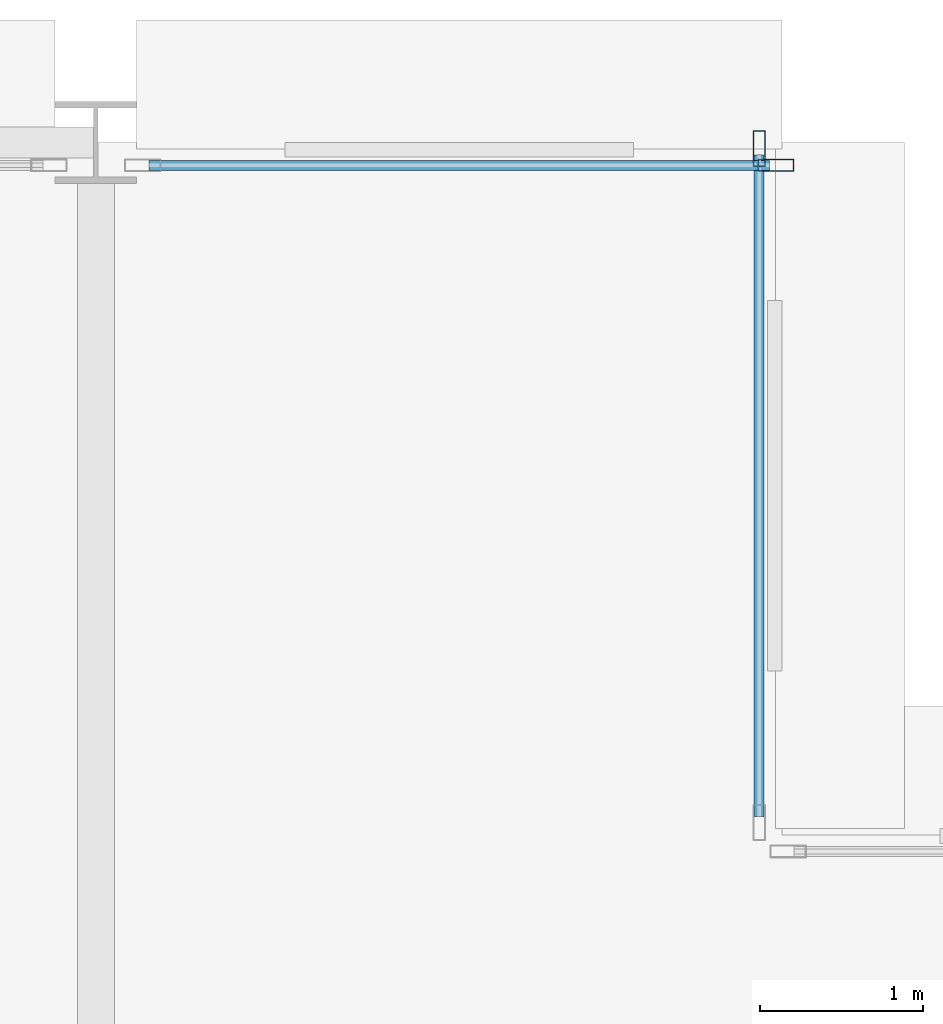
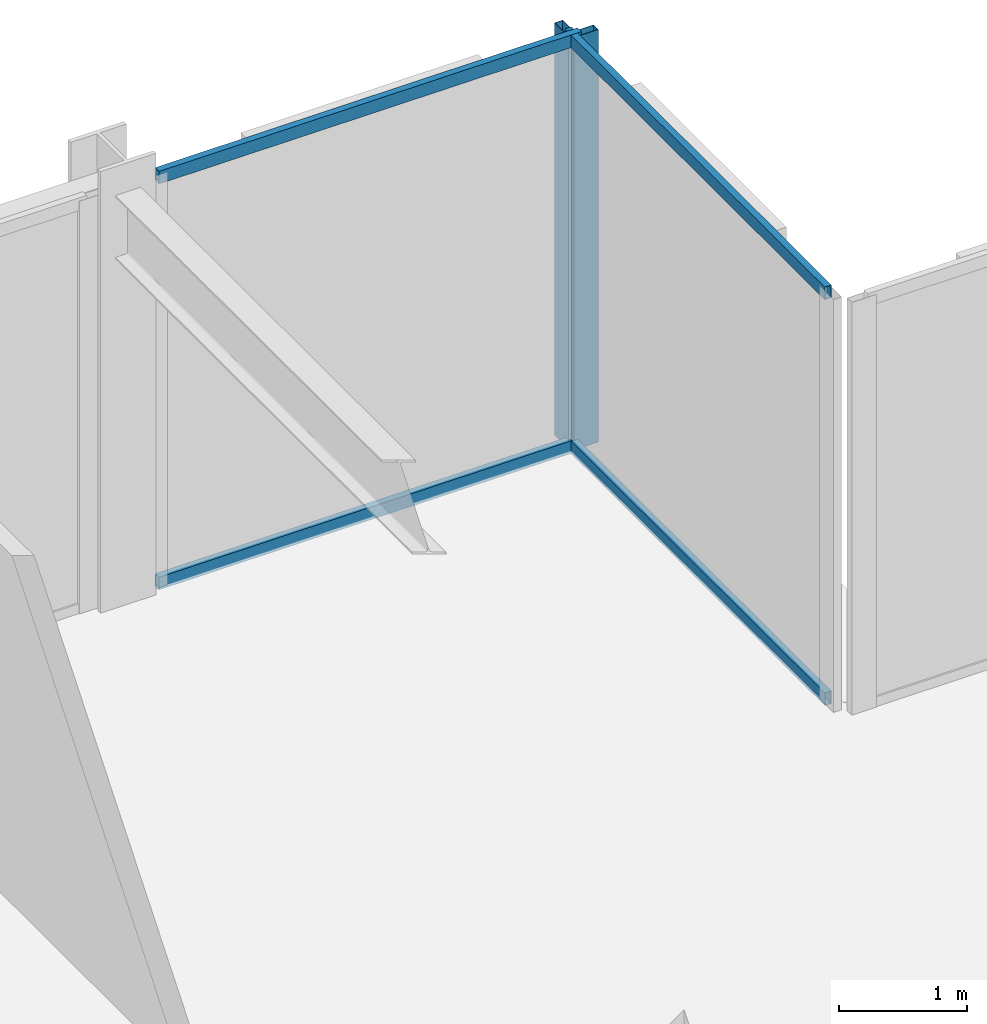
# One storey, part 18 of 25: 6 members, 2 elements without a shape of their own.
"""IFC4 building model written with IfcOpenShell, lengths in metres."""

from ifc_helpers import new_model, si_unit, direction, frame, origin, origin_2d, place, context, subcontext, project, spatial, hollow_rectangle, extrude, material, layer, layer_set, material_profile, profile_set, type_object, element, aggregate, save


model = new_model("IFC4")

# Units and contexts
model_context = context("Model", 3, precision=1e-05, world=origin(), true_north=direction((0.0, 1.0)))
body_context = subcontext(model_context, "Body", "Model", "MODEL_VIEW")
ifc_project = project(units=[si_unit("LENGTHUNIT", "METRE"), si_unit("AREAUNIT", "SQUARE_METRE"), si_unit("VOLUMEUNIT", "CUBIC_METRE"), si_unit("PLANEANGLEUNIT", "RADIAN"), si_unit("MASSUNIT", "GRAM", prefix="KILO")], contexts=[model_context])

# Site, building, storey
site_placement = place(None, origin())
site = spatial("IfcSite", under=ifc_project, at=site_placement, CompositionType="ELEMENT")
building_placement = place(site_placement, origin())
building = spatial("IfcBuilding", under=site, at=building_placement, Name="Nerrivon Quay Data Exchange", CompositionType="ELEMENT")
storey_placement = place(building_placement, frame((0.0, 0.0, 54.199951171875)))
storey = spatial("IfcBuildingStorey", under=building, at=storey_placement, Name="L12", CompositionType="ELEMENT", Elevation=54.199951171875)

# Curtain wall, member
ifc_material = material(Name="Anodised aluminium 6063-T6", Category="aluminium")
ifc_layer = layer(ifc_material, 0.219970703125)
ifc_layer_set = layer_set([ifc_layer], Name="Anodised aluminium 6063-T6")
curtain_wall_type = type_object("IfcCurtainWallType", Name="CW-SYS-01", PredefinedType="NOTDEFINED", material=ifc_layer_set)
curtain_wall_1_placement = place(storey_placement, origin())
curtain_wall_1 = element("IfcCurtainWall", 1, at=curtain_wall_1_placement, inside=storey, type_object=curtain_wall_type, Name="L12 Unitised Curtain Wall 22", PredefinedType="NOTDEFINED")
ifc_material_profile_1 = material_profile(ifc_material, hollow_rectangle(XDim=0.074951171875, YDim=0.219970703125, WallThickness=0.00390625, at=origin_2d()), Name="ALU-MULL-220x75")
ifc_profile_set_1 = profile_set([ifc_material_profile_1], Name="Anodised aluminium 6063-T6")
member_type_1 = type_object("IfcMemberType", Name="CWM-220x75", PredefinedType="MULLION", material=ifc_profile_set_1)
member_1_placement = place(storey_placement, frame((20.96240234375, 50.260009765625, 0.0), z_axis=(0.0, 0.0, 1.0), x_axis=(0.0, 1.0, 0.0)))
member_1 = element("IfcMember", 2, at=member_1_placement, type_object=member_type_1, Name="CW01 mullion 2", PredefinedType="MULLION", context=body_context, shape_type="SweptSolid", body=[
    extrude(hollow_rectangle(XDim=0.074951171875, YDim=0.219970703125, WallThickness=0.00390625, at=origin_2d()), origin(), (0.0, 0.0, 1.0), 3.925048828125),
])

curtain_wall_2_placement = place(storey_placement, origin())
curtain_wall_2 = element("IfcCurtainWall", 3, at=curtain_wall_2_placement, inside=storey, type_object=curtain_wall_type, Name="L12 Unitised Curtain Wall 23", PredefinedType="NOTDEFINED")
member_2_placement = place(storey_placement, frame((20.860107421875, 50.362548828125, 0.0), z_axis=(0.0, 0.0, 1.0), x_axis=(1.0, 0.0, 0.0)))
member_2 = element("IfcMember", 4, at=member_2_placement, type_object=member_type_1, Name="CW01 mullion 1", PredefinedType="MULLION", context=body_context, shape_type="SweptSolid", body=[
    extrude(hollow_rectangle(XDim=0.074951171875, YDim=0.219970703125, WallThickness=0.00390625, at=origin_2d()), origin(), (0.0, 0.0, 1.0), 3.925048828125),
])

# Member
ifc_material_profile_2 = material_profile(ifc_material, hollow_rectangle(XDim=0.06005859375, YDim=0.1201171875, WallThickness=0.003173828125, at=origin_2d()), Name="ALU-TRAN-120x60")
ifc_profile_set_2 = profile_set([ifc_material_profile_2], Name="Anodised aluminium 6063-T6")
member_type_2 = type_object("IfcMemberType", Name="CWT-120x60", PredefinedType="USERDEFINED", material=ifc_profile_set_2)
member_3_placement = place(storey_placement, frame((17.125, 50.260009765625, 0.032470703125), z_axis=(1.0, 0.0, 0.0), x_axis=(0.0, 1.0, 0.0)))
member_3 = element("IfcMember", 5, at=member_3_placement, type_object=member_type_2, Name="CW01 transom 1.1", ObjectType="TRANSOM", PredefinedType="USERDEFINED", context=body_context, shape_type="SweptSolid", body=[
    extrude(hollow_rectangle(XDim=0.06005859375, YDim=0.1201171875, WallThickness=0.003173828125, at=origin_2d()), origin(), (0.0, 0.0, 1.0), 3.800048828125),
])

member_4_placement = place(storey_placement, frame((17.125, 50.260009765625, 3.892578125), z_axis=(1.0, 0.0, 0.0), x_axis=(0.0, 1.0, 0.0)))
member_4 = element("IfcMember", 6, at=member_4_placement, type_object=member_type_2, Name="CW01 transom 1.2", ObjectType="TRANSOM", PredefinedType="USERDEFINED", context=body_context, shape_type="SweptSolid", body=[
    extrude(hollow_rectangle(XDim=0.06005859375, YDim=0.1201171875, WallThickness=0.003173828125, at=origin_2d()), origin(), (0.0, 0.0, 1.0), 3.800048828125),
])

aggregate(curtain_wall_1, [member_1, member_3, member_4])

member_5_placement = place(storey_placement, frame((20.860107421875, 50.324951171875, 0.032470703125), z_axis=(0.0, -1.0, 0.0), x_axis=(1.0, 0.0, 0.0)))
member_5 = element("IfcMember", 7, at=member_5_placement, type_object=member_type_2, Name="CW01 transom 1.1", ObjectType="TRANSOM", PredefinedType="USERDEFINED", context=body_context, shape_type="SweptSolid", body=[
    extrude(hollow_rectangle(XDim=0.06005859375, YDim=0.1201171875, WallThickness=0.003173828125, at=origin_2d()), origin(), (0.0, 0.0, 1.0), 4.050048828125),
])

member_6_placement = place(storey_placement, frame((20.860107421875, 50.324951171875, 3.892578125), z_axis=(0.0, -1.0, 0.0), x_axis=(1.0, 0.0, 0.0)))
member_6 = element("IfcMember", 8, at=member_6_placement, type_object=member_type_2, Name="CW01 transom 1.2", ObjectType="TRANSOM", PredefinedType="USERDEFINED", context=body_context, shape_type="SweptSolid", body=[
    extrude(hollow_rectangle(XDim=0.06005859375, YDim=0.1201171875, WallThickness=0.003173828125, at=origin_2d()), origin(), (0.0, 0.0, 1.0), 4.050048828125),
])

aggregate(curtain_wall_2, [member_2, member_5, member_6])

save(model, "model.ifc")
